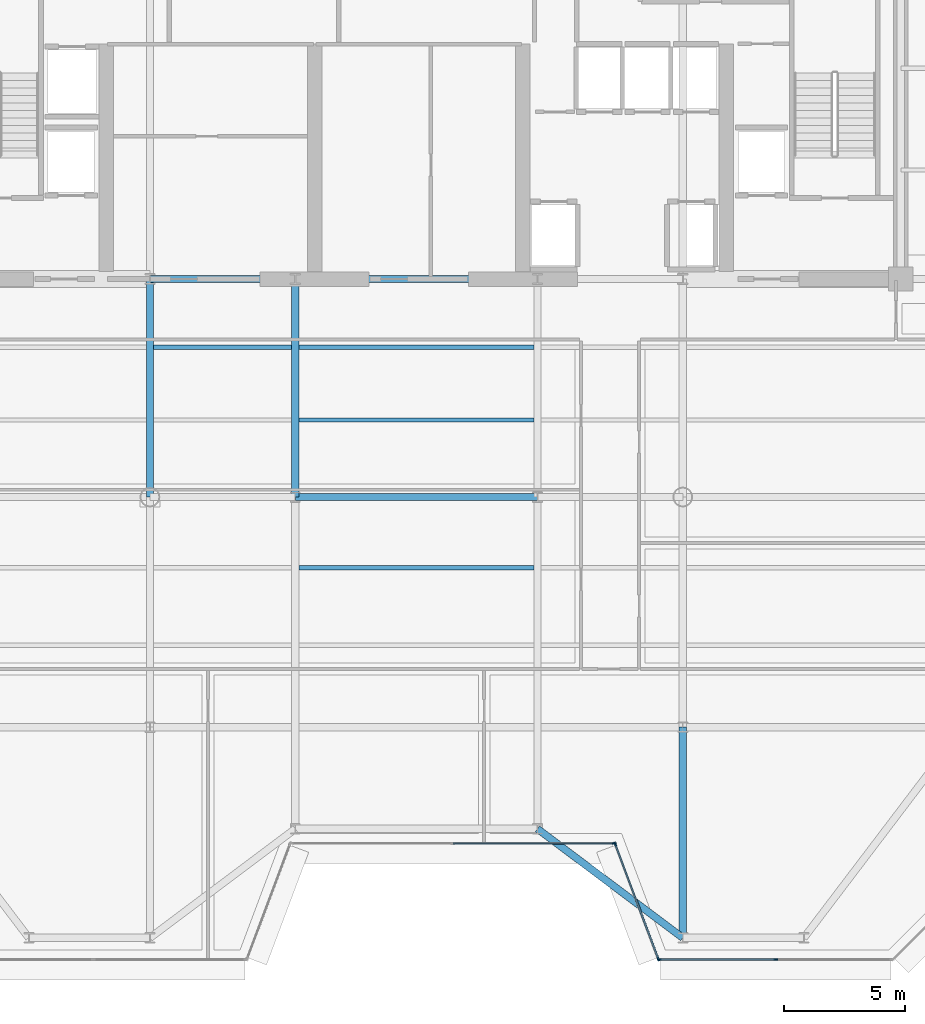
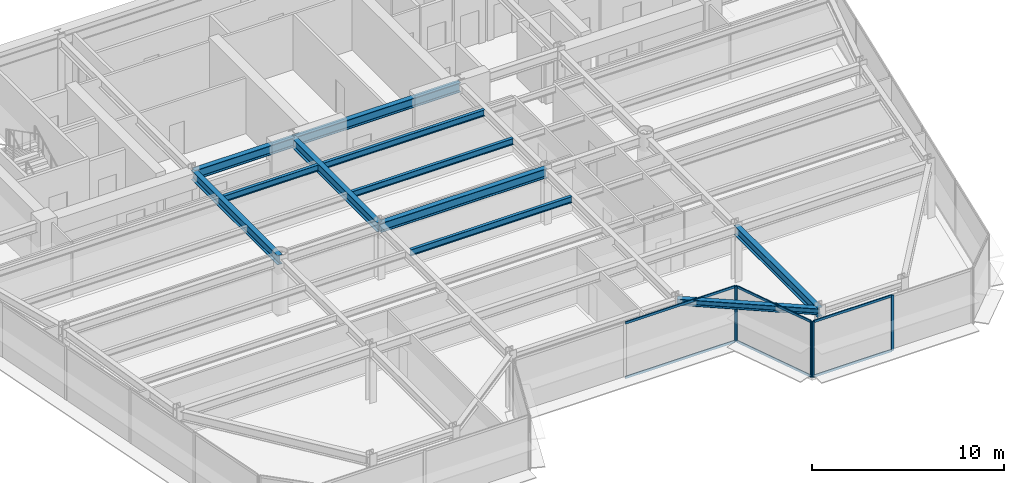
# One storey, part 5 of 17: 11 beams, 11 members, 3 elements without a shape of their own.
"""IFC4 building model written with IfcOpenShell, lengths in metres."""

from ifc_helpers import new_model, si_unit, direction, frame, origin, origin_2d, place, context, subcontext, project, spatial, rectangle, i_section, extrude, source, transform, mapped, material, layer, layer_set, material_profile, profile_set, type_object, element, aggregate, save


model = new_model("IFC4")

# Units and contexts
model_context = context("Model", 3, precision=1e-05, world=origin(), true_north=direction((0.0, 1.0)))
body_context = subcontext(model_context, "Body", "Model", "MODEL_VIEW")
ifc_project = project(units=[si_unit("LENGTHUNIT", "METRE"), si_unit("AREAUNIT", "SQUARE_METRE"), si_unit("VOLUMEUNIT", "CUBIC_METRE"), si_unit("PLANEANGLEUNIT", "RADIAN"), si_unit("MASSUNIT", "GRAM", prefix="KILO")], contexts=[model_context])

# Site, building, storey
site_placement = place(None, origin())
site = spatial("IfcSite", under=ifc_project, at=site_placement, CompositionType="ELEMENT")
building_placement = place(site_placement, origin())
building = spatial("IfcBuilding", under=site, at=building_placement, Name="Vaeldorn Concourse Tower", CompositionType="ELEMENT")
storey_placement = place(building_placement, frame((0.0, 0.0, 214.60009765625)))
storey = spatial("IfcBuildingStorey", under=building, at=storey_placement, Name="L55", CompositionType="ELEMENT", Elevation=214.60009765625)

# Beams
ifc_material_1 = material(Name="Steel S355", Category="steel")
ifc_material_profile_1 = material_profile(ifc_material_1, i_section(OverallWidth=0.300048828125, OverallDepth=0.60009765625, WebThickness=0.015380859375, FlangeThickness=0.030029296875, FilletRadius=0.027099609375, at=origin_2d()), Name="HEB 600")
ifc_profile_set_1 = profile_set([ifc_material_profile_1], Name="Steel S355")
beam_type_1 = type_object("IfcBeamType", Name="BM-PG-HEB600", PredefinedType="BEAM", material=ifc_profile_set_1)
shared_shape_1 = source(origin(), body_context, "Body", "SweptSolid", [
    extrude(i_section(OverallWidth=0.300048828125, OverallDepth=0.60009765625, WebThickness=0.015380859375, FlangeThickness=0.030029296875, FilletRadius=0.027099609375, at=origin_2d()), origin(), (0.0, 0.0, 1.0), 6.0),
])
beam_1_placement = place(storey_placement, frame((23.0, 36.5, 3.239990234375), z_axis=(1.0, 0.0, 0.0), x_axis=(0.0, 1.0, 0.0)))
element("IfcBeam", 1, at=beam_1_placement, inside=storey, type_object=beam_type_1, Name="Beam BM-L55-C-FC2-C-FC3", PredefinedType="BEAM", context=body_context, shape_type="MappedRepresentation", body=[
    mapped(shared_shape_1, transform((0.0, 0.0, 0.0), scale=1.0)),
])
shared_shape_2 = source(origin(), body_context, "Body", "SweptSolid", [
    extrude(i_section(OverallWidth=0.300048828125, OverallDepth=0.60009765625, WebThickness=0.015380859375, FlangeThickness=0.030029296875, FilletRadius=0.027099609375, at=origin_2d()), origin(), (0.0, 0.0, 1.0), 10.0),
])
for number, where, z_axis, x_axis, name in (
    (2, (29.0, 36.5, 3.239990234375), (1.0, 0.0, 0.0), (0.0, 1.0, 0.0), "Beam BM-L55-C-FC3-C-FC4"),
    (3, (29.0, 27.5, 3.239990234375), (1.0, 0.0, 0.0), (0.0, 1.0, 0.0), "Beam BM-L55-C-TW2-C-TW3"),
):
    element("IfcBeam", number, at=place(storey_placement, frame(where, z_axis=z_axis, x_axis=x_axis)), inside=storey, type_object=beam_type_1, Name=name, PredefinedType="BEAM", context=body_context, shape_type="MappedRepresentation", body=[
        mapped(shared_shape_2, transform((0.0, 0.0, 0.0), scale=1.0)),
    ])
shared_shape_3 = source(origin(), body_context, "Body", "SweptSolid", [
    extrude(i_section(OverallWidth=0.300048828125, OverallDepth=0.60009765625, WebThickness=0.015380859375, FlangeThickness=0.030029296875, FilletRadius=0.027099609375, at=origin_2d()), origin(), (0.0, 0.0, 1.0), 9.0),
])
for number, where, z_axis, x_axis, name in (
    (4, (23.0, 27.5, 3.239990234375), (0.0, 1.0, 0.0), (-1.0, 0.0, 0.0), "Beam BM-L55-C-TW1-C-FC2"),
    (5, (29.0, 27.5, 3.239990234375), (0.0, 1.0, 0.0), (-1.0, 0.0, 0.0), "Beam BM-L55-C-TW2-C-FC3"),
):
    element("IfcBeam", number, at=place(storey_placement, frame(where, z_axis=z_axis, x_axis=x_axis)), inside=storey, type_object=beam_type_1, Name=name, PredefinedType="BEAM", context=body_context, shape_type="MappedRepresentation", body=[
        mapped(shared_shape_3, transform((0.0, 0.0, 0.0), scale=1.0)),
    ])
ifc_material_profile_2 = material_profile(ifc_material_1, i_section(OverallWidth=0.300048828125, OverallDepth=0.39990234375, WebThickness=0.013427734375, FlangeThickness=0.02392578125, FilletRadius=0.027099609375, at=origin_2d()), Name="HEB 400")
ifc_profile_set_2 = profile_set([ifc_material_profile_2], Name="Steel S355")
beam_type_2 = type_object("IfcBeamType", Name="BM-SP-HEB400", PredefinedType="SPANDREL", material=ifc_profile_set_2)
shared_shape_4 = source(origin(), body_context, "Body", "SweptSolid", [
    extrude(i_section(OverallWidth=0.300048828125, OverallDepth=0.39990234375, WebThickness=0.013427734375, FlangeThickness=0.02392578125, FilletRadius=0.027099609375, at=origin_2d()), origin(), (0.0, 0.0, 1.0), 7.5),
])
beam_2_placement = place(storey_placement, frame((39.0, 13.800048828125, 3.33984375), z_axis=(0.8, -0.6, 0.0), x_axis=(0.6, 0.8, 0.0)))
element("IfcBeam", 6, at=beam_2_placement, inside=storey, type_object=beam_type_2, Name="Beam BM-L55-C-SF4-C-SF5", PredefinedType="SPANDREL", context=body_context, shape_type="MappedRepresentation", body=[
    mapped(shared_shape_4, transform((0.0, 0.0, 0.0), scale=1.0)),
])
ifc_material_profile_3 = material_profile(ifc_material_1, i_section(OverallWidth=0.179931640625, OverallDepth=0.39990234375, WebThickness=0.008544921875, FlangeThickness=0.013427734375, FilletRadius=0.02099609375, at=origin_2d()), Name="IPE 400")
ifc_profile_set_3 = profile_set([ifc_material_profile_3], Name="Steel S355")
beam_type_3 = type_object("IfcBeamType", Name="BM-JS-IPE400", PredefinedType="JOIST", material=ifc_profile_set_3)
shared_shape_5 = source(origin(), body_context, "Body", "SweptSolid", [
    extrude(i_section(OverallWidth=0.179931640625, OverallDepth=0.39990234375, WebThickness=0.008544921875, FlangeThickness=0.013427734375, FilletRadius=0.02099609375, at=origin_2d()), origin(), (0.0, 0.0, 1.0), 5.7001953125),
])
beam_3_placement = place(storey_placement, frame((23.14990234375, 33.679931640625, 3.33984375), z_axis=(1.0, 0.0, 0.0), x_axis=(0.0, 1.0, 0.0)))
element("IfcBeam", 7, at=beam_3_placement, inside=storey, type_object=beam_type_3, Name="Beam JS-L55-W2-336", PredefinedType="JOIST", context=body_context, shape_type="MappedRepresentation", body=[
    mapped(shared_shape_5, transform((0.0, 0.0, 0.0), scale=1.0)),
])
shared_shape_6 = source(origin(), body_context, "Body", "SweptSolid", [
    extrude(i_section(OverallWidth=0.179931640625, OverallDepth=0.39990234375, WebThickness=0.008544921875, FlangeThickness=0.013427734375, FilletRadius=0.02099609375, at=origin_2d()), origin(), (0.0, 0.0, 1.0), 9.7001953125),
])
for number, where, z_axis, x_axis, name in (
    (8, (29.14990234375, 24.580078125, 3.33984375), (1.0, 0.0, 0.0), (0.0, 1.0, 0.0), "Beam JS-L55-C-245"),
    (9, (29.14990234375, 30.679931640625, 3.33984375), (1.0, 0.0, 0.0), (0.0, 1.0, 0.0), "Beam JS-L55-C-306"),
    (10, (29.14990234375, 33.679931640625, 3.33984375), (1.0, 0.0, 0.0), (0.0, 1.0, 0.0), "Beam JS-L55-C-336"),
):
    element("IfcBeam", number, at=place(storey_placement, frame(where, z_axis=z_axis, x_axis=x_axis)), inside=storey, type_object=beam_type_3, Name=name, PredefinedType="JOIST", context=body_context, shape_type="MappedRepresentation", body=[
        mapped(shared_shape_6, transform((0.0, 0.0, 0.0), scale=1.0)),
    ])
shared_shape_7 = source(origin(), body_context, "Body", "SweptSolid", [
    extrude(i_section(OverallWidth=0.300048828125, OverallDepth=0.60009765625, WebThickness=0.015380859375, FlangeThickness=0.030029296875, FilletRadius=0.027099609375, at=origin_2d()), origin(), (0.0, 0.0, 1.0), 8.699951171875),
])
beam_4_placement = place(storey_placement, frame((45.0, 9.300048828125, 3.239990234375), z_axis=(0.0, 1.0, 0.0), x_axis=(-1.0, 0.0, 0.0)))
element("IfcBeam", 11, at=beam_4_placement, inside=storey, type_object=beam_type_1, Name="Beam BM-L55-C-SF5-C-TW6", PredefinedType="BEAM", context=body_context, shape_type="MappedRepresentation", body=[
    mapped(shared_shape_7, transform((0.0, 0.0, 0.0), scale=1.0)),
])

# Curtain wall, members
ifc_material_2 = material(Name="Anodised Bronze Aluminium", Category="aluminium")
ifc_layer = layer(ifc_material_2, 0.18994140625)
ifc_layer_set = layer_set([ifc_layer], Name="Anodised Bronze Aluminium")
curtain_wall_type = type_object("IfcCurtainWallType", Name="CW-SYS-03", PredefinedType="NOTDEFINED", material=ifc_layer_set)
curtain_wall_1_placement = place(storey_placement, origin())
curtain_wall_1 = element("IfcCurtainWall", 12, at=curtain_wall_1_placement, inside=storey, type_object=curtain_wall_type, Name="Unitised Curtain Wall CW-L55-E04-1", PredefinedType="NOTDEFINED")
ifc_material_profile_4 = material_profile(ifc_material_2, rectangle(XDim=0.06494140625, YDim=0.14990234375, at=origin_2d()), Name="CWT 65x150")
ifc_profile_set_4 = profile_set([ifc_material_profile_4], Name="Anodised Bronze Aluminium")
member_type_1 = type_object("IfcMemberType", Name="CWT-BRONZE-150", PredefinedType="USERDEFINED", material=ifc_profile_set_4)
shared_shape_8 = source(origin(), body_context, "Body", "SweptSolid", [
    extrude(rectangle(XDim=0.06494140625, YDim=0.14990234375, at=origin_2d()), origin(), (0.0, 0.0, 1.0), 4.996337890625),
])
member_1_placement = place(storey_placement, frame((42.222900390625, 13.13916015625, 0.032470703125), z_axis=(0.351134151405, -0.936325161318, 0.0), x_axis=(0.936325161318, 0.351134151405, 0.0)))
member_1 = element("IfcMember", 13, at=member_1_placement, type_object=member_type_1, Name="CW-03 transom 1.1", ObjectType="TRANSOM", PredefinedType="USERDEFINED", context=body_context, shape_type="MappedRepresentation", body=[
    mapped(shared_shape_8, transform((0.0, 0.0, 0.0), scale=1.0)),
])
member_2_placement = place(storey_placement, frame((42.222900390625, 13.13916015625, 3.50732421875), z_axis=(0.351134151405, -0.936325161318, 0.0), x_axis=(0.936325161318, 0.351134151405, 0.0)))
member_2 = element("IfcMember", 14, at=member_2_placement, type_object=member_type_1, Name="CW-03 transom 1.2", ObjectType="TRANSOM", PredefinedType="USERDEFINED", context=body_context, shape_type="MappedRepresentation", body=[
    mapped(shared_shape_8, transform((0.0, 0.0, 0.0), scale=1.0)),
])

curtain_wall_2_placement = place(storey_placement, origin())
curtain_wall_2 = element("IfcCurtainWall", 15, at=curtain_wall_2_placement, inside=storey, type_object=curtain_wall_type, Name="Unitised Curtain Wall CW-L55-E03-1", PredefinedType="NOTDEFINED")
shared_shape_9 = source(origin(), body_context, "Body", "SweptSolid", [
    extrude(rectangle(XDim=0.06494140625, YDim=0.14990234375, at=origin_2d()), origin(), (0.0, 0.0, 1.0), 6.6025390625),
])
member_3_placement = place(storey_placement, frame((35.532470703125, 13.199951171875, 0.032470703125), z_axis=(1.0, 0.0, 0.0), x_axis=(0.0, 1.0, 0.0)))
member_3 = element("IfcMember", 16, at=member_3_placement, type_object=member_type_1, Name="CW-03 transom 2.1", ObjectType="TRANSOM", PredefinedType="USERDEFINED", context=body_context, shape_type="MappedRepresentation", body=[
    mapped(shared_shape_9, transform((0.0, 0.0, 0.0), scale=1.0)),
])
member_4_placement = place(storey_placement, frame((35.532470703125, 13.199951171875, 3.50732421875), z_axis=(1.0, 0.0, 0.0), x_axis=(0.0, 1.0, 0.0)))
member_4 = element("IfcMember", 17, at=member_4_placement, type_object=member_type_1, Name="CW-03 transom 2.2", ObjectType="TRANSOM", PredefinedType="USERDEFINED", context=body_context, shape_type="MappedRepresentation", body=[
    mapped(shared_shape_9, transform((0.0, 0.0, 0.0), scale=1.0)),
])

curtain_wall_3_placement = place(storey_placement, origin())
curtain_wall_3 = element("IfcCurtainWall", 18, at=curtain_wall_3_placement, inside=storey, type_object=curtain_wall_type, Name="Unitised Curtain Wall CW-L55-E05-1", PredefinedType="NOTDEFINED")
shared_shape_10 = source(origin(), body_context, "Body", "SweptSolid", [
    extrude(rectangle(XDim=0.06494140625, YDim=0.14990234375, at=origin_2d()), origin(), (0.0, 0.0, 1.0), 4.738037109375),
])
member_5_placement = place(storey_placement, frame((44.06494140625, 8.39990234375, 0.032470703125), z_axis=(1.0, 0.0, 0.0), x_axis=(0.0, 1.0, 0.0)))
member_5 = element("IfcMember", 19, at=member_5_placement, type_object=member_type_1, Name="CW-03 transom 1.1", ObjectType="TRANSOM", PredefinedType="USERDEFINED", context=body_context, shape_type="MappedRepresentation", body=[
    mapped(shared_shape_10, transform((0.0, 0.0, 0.0), scale=1.0)),
])
member_6_placement = place(storey_placement, frame((44.06494140625, 8.39990234375, 3.50732421875), z_axis=(1.0, 0.0, 0.0), x_axis=(0.0, 1.0, 0.0)))
member_6 = element("IfcMember", 20, at=member_6_placement, type_object=member_type_1, Name="CW-03 transom 1.2", ObjectType="TRANSOM", PredefinedType="USERDEFINED", context=body_context, shape_type="MappedRepresentation", body=[
    mapped(shared_shape_10, transform((0.0, 0.0, 0.0), scale=1.0)),
])

# Member
ifc_material_profile_5 = material_profile(ifc_material_2, rectangle(XDim=0.06494140625, YDim=0.169921875, at=origin_2d()), Name="CWM 65x170")
ifc_profile_set_5 = profile_set([ifc_material_profile_5], Name="Anodised Bronze Aluminium")
member_type_2 = type_object("IfcMemberType", Name="CWM-BRONZE-170", PredefinedType="MULLION", material=ifc_profile_set_5)
shared_shape_11 = source(origin(), body_context, "Body", "SweptSolid", [
    extrude(rectangle(XDim=0.06494140625, YDim=0.169921875, at=origin_2d()), origin(), (0.0, 0.0, 1.0), 3.539794921875),
])
member_7_placement = place(storey_placement, frame((42.16748046875, 13.199951171875, 0.0), z_axis=(0.0, 0.0, 1.0), x_axis=(0.0, 1.0, 0.0)))
member_7 = element("IfcMember", 21, at=member_7_placement, type_object=member_type_2, Name="CW-03 mullion 3", PredefinedType="MULLION", context=body_context, shape_type="MappedRepresentation", body=[
    mapped(shared_shape_11, transform((0.0, 0.0, 0.0), scale=1.0)),
])

aggregate(curtain_wall_2, [member_7, member_3, member_4])

member_8_placement = place(storey_placement, frame((42.21142578125, 13.169677734375, 0.0), z_axis=(0.0, 0.0, 1.0), x_axis=(0.936329177566, 0.351123441595, 0.0)))
member_8 = element("IfcMember", 22, at=member_8_placement, type_object=member_type_2, Name="CW-03 mullion 1", PredefinedType="MULLION", context=body_context, shape_type="MappedRepresentation", body=[
    mapped(shared_shape_11, transform((0.0, 0.0, 0.0), scale=1.0)),
])

member_9_placement = place(storey_placement, frame((43.988525390625, 8.430419921875, 0.0), z_axis=(0.0, 0.0, 1.0), x_axis=(0.936329177566, 0.351123441595, 0.0)))
member_9 = element("IfcMember", 23, at=member_9_placement, type_object=member_type_2, Name="CW-03 mullion 2", PredefinedType="MULLION", context=body_context, shape_type="MappedRepresentation", body=[
    mapped(shared_shape_11, transform((0.0, 0.0, 0.0), scale=1.0)),
])

aggregate(curtain_wall_1, [member_8, member_9, member_1, member_2])

member_10_placement = place(storey_placement, frame((44.032470703125, 8.39990234375, 0.0), z_axis=(0.0, 0.0, 1.0), x_axis=(0.0, 1.0, 0.0)))
member_10 = element("IfcMember", 24, at=member_10_placement, type_object=member_type_2, Name="CW-03 mullion 1", PredefinedType="MULLION", context=body_context, shape_type="MappedRepresentation", body=[
    mapped(shared_shape_11, transform((0.0, 0.0, 0.0), scale=1.0)),
])

member_11_placement = place(storey_placement, frame((48.83544921875, 8.39990234375, 0.0), z_axis=(0.0, 0.0, 1.0), x_axis=(0.0, 1.0, 0.0)))
member_11 = element("IfcMember", 25, at=member_11_placement, type_object=member_type_2, Name="CW-03 mullion 2", PredefinedType="MULLION", context=body_context, shape_type="MappedRepresentation", body=[
    mapped(shared_shape_11, transform((0.0, 0.0, 0.0), scale=1.0)),
])

aggregate(curtain_wall_3, [member_10, member_11, member_5, member_6])

save(model, "model.ifc")
